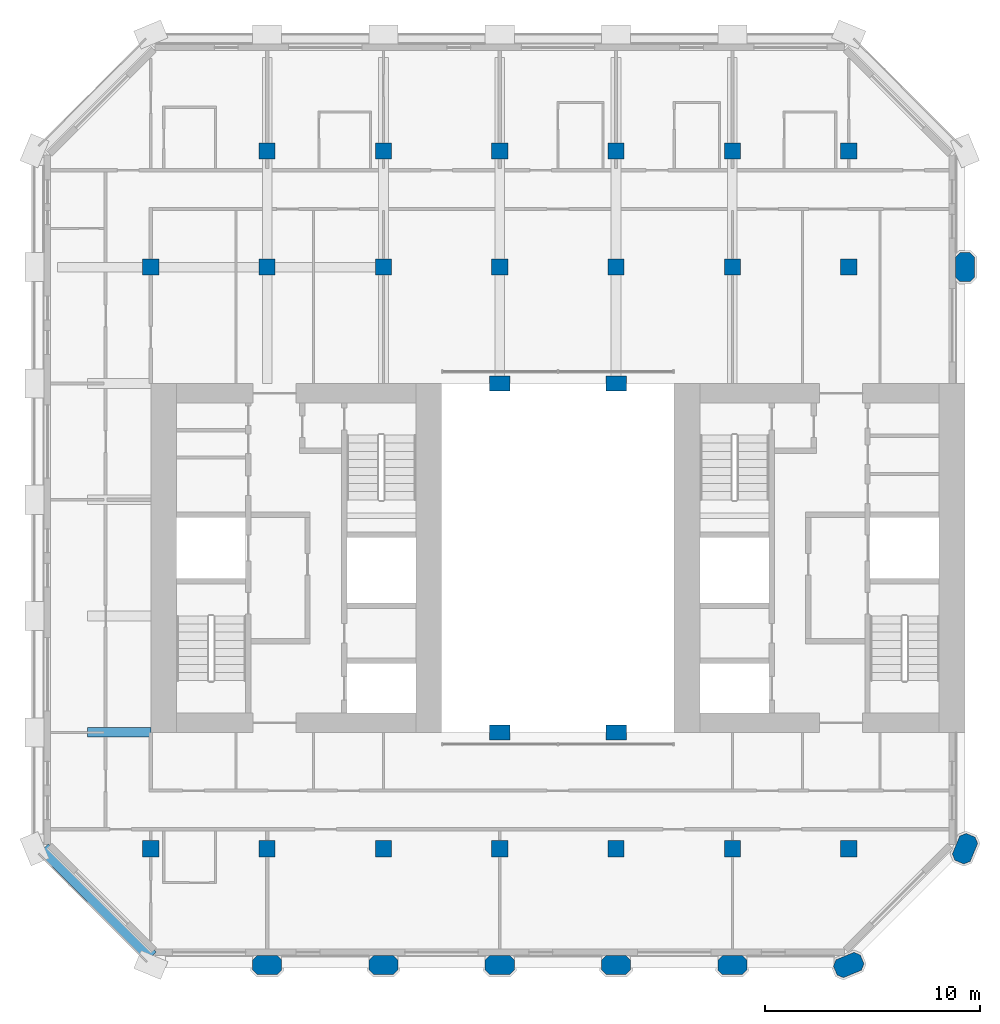
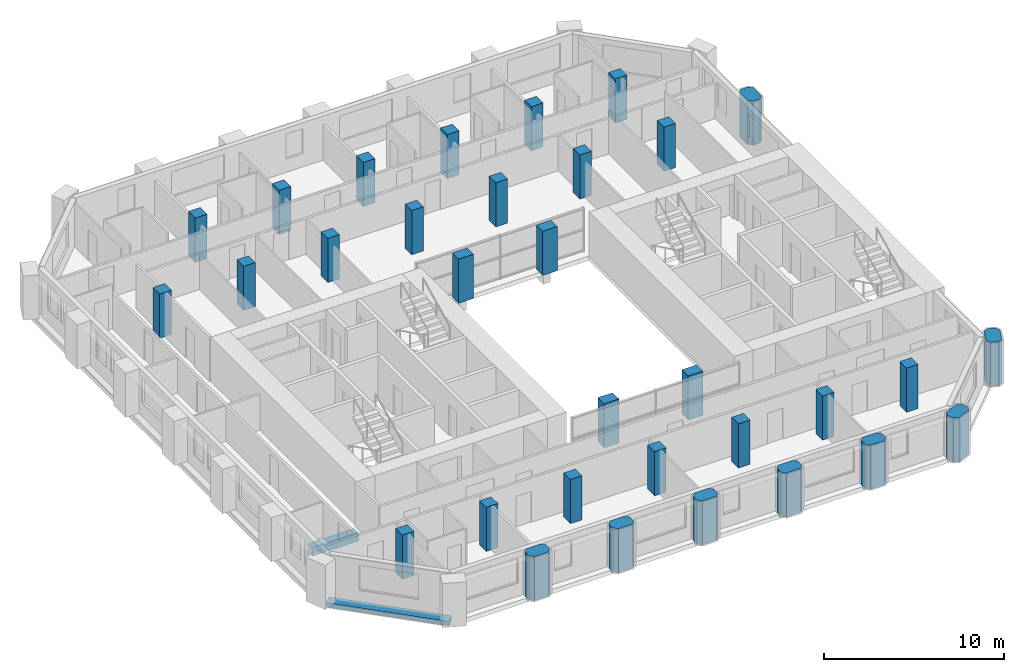
# One storey, part 1 of 14: 32 columns, 2 beams.
"""IFC4 building model written with IfcOpenShell, lengths in metres."""

from ifc_helpers import new_model, si_unit, direction, frame, origin, origin_2d, place, context, subcontext, project, spatial, polyline, rectangle, outline, extrude, material, material_profile, profile_set, type_object, element, save


model = new_model("IFC4")

# Units and contexts
model_context = context("Model", 3, precision=1e-05, world=origin(), true_north=direction((0.0, 1.0)))
body_context = subcontext(model_context, "Body", "Model", "MODEL_VIEW")
ifc_project = project(units=[si_unit("LENGTHUNIT", "METRE"), si_unit("AREAUNIT", "SQUARE_METRE"), si_unit("VOLUMEUNIT", "CUBIC_METRE"), si_unit("PLANEANGLEUNIT", "RADIAN"), si_unit("MASSUNIT", "GRAM", prefix="KILO")], contexts=[model_context])

# Site, building, storey
site_placement = place(None, origin())
site = spatial("IfcSite", under=ifc_project, at=site_placement, CompositionType="ELEMENT")
building_placement = place(site_placement, origin())
building = spatial("IfcBuilding", under=site, at=building_placement, Name="Tabaq Tower and Sports Hall", CompositionType="ELEMENT")
storey_placement = place(building_placement, frame((0.0, 0.0, 226.89990234375)))
storey = spatial("IfcBuildingStorey", under=building, at=storey_placement, Name="L57", CompositionType="ELEMENT", Elevation=226.89990234375)

# Columns
ifc_material_1 = material(Name="Concrete C50/60", Category="concrete")
ifc_material_profile_1 = material_profile(ifc_material_1, rectangle(XDim=0.949951171875, YDim=0.699951171875, at=origin_2d()), Name="ATRIUM COLUMN 950x700")
ifc_profile_set_1 = profile_set([ifc_material_profile_1], Name="Concrete C50/60")
column_type_1 = type_object("IfcColumnType", Name="RC COLUMN ATRIUM COLUMN 950x700 C50/60", PredefinedType="COLUMN", material=ifc_profile_set_1)
for number, where, z_axis, x_axis, name in (
    (1, (21.60009765625, 16.199951171875, 0.0), (0.0, 0.0, 1.0), (1.0, 0.0, 0.0), "Atrium Column 5/D L57"),
    (2, (27.0, 16.199951171875, 0.0), (0.0, 0.0, 1.0), (1.0, 0.0, 0.0), "Atrium Column 6/D L57"),
    (3, (21.60009765625, 32.39990234375, 0.0), (0.0, 0.0, 1.0), (1.0, 0.0, 0.0), "Atrium Column 5/G L57"),
    (4, (27.0, 32.39990234375, 0.0), (0.0, 0.0, 1.0), (1.0, 0.0, 0.0), "Atrium Column 6/G L57"),
):
    element("IfcColumn", number, at=place(storey_placement, frame(where, z_axis=z_axis, x_axis=x_axis)), inside=storey, type_object=column_type_1, Name=name, PredefinedType="COLUMN", context=body_context, shape_type="SweptSolid", body=[
        extrude(rectangle(XDim=0.949951171875, YDim=0.699951171875, at=origin_2d()), origin(), (0.0, 0.0, 1.0), 3.0),
    ])
ifc_material_2 = material(Name="Concrete C50/60", Category="concrete")
ifc_material_profile_2 = material_profile(ifc_material_2, rectangle(XDim=0.75, YDim=0.75, at=origin_2d()), Name="COLUMN 750x750")
ifc_profile_set_2 = profile_set([ifc_material_profile_2], Name="Concrete C50/60")
column_type_2 = type_object("IfcColumnType", Name="RC COLUMN COLUMN 750x750 C50/60", PredefinedType="COLUMN", material=ifc_profile_set_2)
for number, where, z_axis, x_axis, name in (
    (5, (5.39990234375, 10.800048828125, 0.0), (0.0, 0.0, 1.0), (1.0, 0.0, 0.0), "Column 2/C L57"),
    (6, (10.800048828125, 10.800048828125, 0.0), (0.0, 0.0, 1.0), (1.0, 0.0, 0.0), "Column 3/C L57"),
    (7, (16.199951171875, 10.800048828125, 0.0), (0.0, 0.0, 1.0), (1.0, 0.0, 0.0), "Column 4/C L57"),
    (8, (21.60009765625, 10.800048828125, 0.0), (0.0, 0.0, 1.0), (1.0, 0.0, 0.0), "Column 5/C L57"),
    (9, (27.0, 10.800048828125, 0.0), (0.0, 0.0, 1.0), (1.0, 0.0, 0.0), "Column 6/C L57"),
    (10, (32.39990234375, 10.800048828125, 0.0), (0.0, 0.0, 1.0), (1.0, 0.0, 0.0), "Column 7/C L57"),
    (11, (37.800048828125, 10.800048828125, 0.0), (0.0, 0.0, 1.0), (1.0, 0.0, 0.0), "Column 8/C L57"),
    (12, (5.39990234375, 37.800048828125, 0.0), (0.0, 0.0, 1.0), (1.0, 0.0, 0.0), "Column 2/H L57"),
    (13, (10.800048828125, 37.800048828125, 0.0), (0.0, 0.0, 1.0), (1.0, 0.0, 0.0), "Column 3/H L57"),
    (14, (16.199951171875, 37.800048828125, 0.0), (0.0, 0.0, 1.0), (1.0, 0.0, 0.0), "Column 4/H L57"),
    (15, (21.60009765625, 37.800048828125, 0.0), (0.0, 0.0, 1.0), (1.0, 0.0, 0.0), "Column 5/H L57"),
    (16, (27.0, 37.800048828125, 0.0), (0.0, 0.0, 1.0), (1.0, 0.0, 0.0), "Column 6/H L57"),
    (17, (32.39990234375, 37.800048828125, 0.0), (0.0, 0.0, 1.0), (1.0, 0.0, 0.0), "Column 7/H L57"),
    (18, (37.800048828125, 37.800048828125, 0.0), (0.0, 0.0, 1.0), (1.0, 0.0, 0.0), "Column 8/H L57"),
    (19, (10.800048828125, 43.199951171875, 0.0), (0.0, 0.0, 1.0), (1.0, 0.0, 0.0), "Column 3/I L57"),
    (20, (16.199951171875, 43.199951171875, 0.0), (0.0, 0.0, 1.0), (1.0, 0.0, 0.0), "Column 4/I L57"),
    (21, (21.60009765625, 43.199951171875, 0.0), (0.0, 0.0, 1.0), (1.0, 0.0, 0.0), "Column 5/I L57"),
    (22, (27.0, 43.199951171875, 0.0), (0.0, 0.0, 1.0), (1.0, 0.0, 0.0), "Column 6/I L57"),
    (23, (32.39990234375, 43.199951171875, 0.0), (0.0, 0.0, 1.0), (1.0, 0.0, 0.0), "Column 7/I L57"),
    (24, (37.800048828125, 43.199951171875, 0.0), (0.0, 0.0, 1.0), (1.0, 0.0, 0.0), "Column 8/I L57"),
):
    element("IfcColumn", number, at=place(storey_placement, frame(where, z_axis=z_axis, x_axis=x_axis)), inside=storey, type_object=column_type_2, Name=name, PredefinedType="COLUMN", context=body_context, shape_type="SweptSolid", body=[
        extrude(rectangle(XDim=0.75, YDim=0.75, at=origin_2d()), origin(), (0.0, 0.0, 1.0), 3.0),
    ])
ifc_material_3 = material(Name="Concrete C50/60", Category="concrete")
ifc_material_profile_3 = material_profile(ifc_material_3, outline(polyline([(-0.449951171875, -0.449951171875), (0.449951171875, -0.449951171875), (0.675048828125, -0.22509765625), (0.675048828125, 0.22509765625), (0.449951171875, 0.449951171875), (-0.449951171875, 0.449951171875), (-0.675048828125, 0.22509765625), (-0.675048828125, -0.22509765625), (-0.449951171875, -0.449951171875)])), Name="PIER 1350x900")
ifc_profile_set_3 = profile_set([ifc_material_profile_3], Name="Concrete C50/60")
column_type_3 = type_object("IfcColumnType", Name="RC COLUMN PIER 1350x900 C50/60", PredefinedType="COLUMN", material=ifc_profile_set_3)
for number, where, z_axis, x_axis, name in (
    (25, (10.800048828125, 5.39990234375, 0.0), (0.0, 0.0, 1.0), (1.0, 0.0, 0.0), "Pier 3/B L57"),
    (26, (16.199951171875, 5.39990234375, 0.0), (0.0, 0.0, 1.0), (1.0, 0.0, 0.0), "Pier 4/B L57"),
    (27, (21.60009765625, 5.39990234375, 0.0), (0.0, 0.0, 1.0), (1.0, 0.0, 0.0), "Pier 5/B L57"),
    (28, (27.0, 5.39990234375, 0.0), (0.0, 0.0, 1.0), (1.0, 0.0, 0.0), "Pier 6/B L57"),
    (29, (32.39990234375, 5.39990234375, 0.0), (0.0, 0.0, 1.0), (1.0, 0.0, 0.0), "Pier 7/B L57"),
    (30, (37.800048828125, 5.39990234375, 0.0), (0.0, 0.0, 1.0), (0.923879532511, 0.382683432365, 0.0), "Pier 8/B L57"),
    (31, (43.199951171875, 10.800048828125, 0.0), (0.0, 0.0, 1.0), (0.382683432365, 0.923879532511, 0.0), "Pier 9/C L57"),
    (32, (43.199951171875, 37.800048828125, 0.0), (0.0, 0.0, 1.0), (0.0, 1.0, 0.0), "Pier 9/H L57"),
):
    element("IfcColumn", number, at=place(storey_placement, frame(where, z_axis=z_axis, x_axis=x_axis)), inside=storey, type_object=column_type_3, Name=name, PredefinedType="COLUMN", context=body_context, shape_type="SweptSolid", body=[
        extrude(outline(polyline([(-0.449951171875, -0.449951171875), (0.449951171875, -0.449951171875), (0.675048828125, -0.22509765625), (0.675048828125, 0.22509765625), (0.449951171875, 0.449951171875), (-0.449951171875, 0.449951171875), (-0.675048828125, 0.22509765625), (-0.675048828125, -0.22509765625), (-0.449951171875, -0.449951171875)])), origin(), (0.0, 0.0, 1.0), 3.0),
    ])

# Beams
ifc_material_4 = material(Name="Concrete C40/50", Category="concrete")
ifc_material_profile_4 = material_profile(ifc_material_4, rectangle(XDim=0.449951171875, YDim=0.60009765625, at=origin_2d()), Name="CB 450x600")
ifc_profile_set_4 = profile_set([ifc_material_profile_4], Name="Concrete C40/50")
beam_type_1 = type_object("IfcBeamType", Name="PT CANTILEVER BEAM CB 450x600 C40/50", PredefinedType="BEAM", material=ifc_profile_set_4)
beam_1_placement = place(storey_placement, frame((2.449951171875, 16.199951171875, -0.599853515625), z_axis=(1.0, 0.0, 0.0), x_axis=(0.0, 1.0, 0.0)))
element("IfcBeam", 33, at=beam_1_placement, inside=storey, type_object=beam_type_1, Name="Cantilever Beam L57 W3 span 1", PredefinedType="BEAM", context=body_context, shape_type="SweptSolid", body=[
    extrude(rectangle(XDim=0.449951171875, YDim=0.60009765625, at=origin_2d()), origin(), (0.0, 0.0, 1.0), 2.949951171875),
])
ifc_material_5 = material(Name="Concrete C40/50", Category="concrete")
ifc_material_profile_5 = material_profile(ifc_material_5, rectangle(XDim=0.60009765625, YDim=0.300048828125, at=origin_2d()), Name="EB 600x300")
ifc_profile_set_5 = profile_set([ifc_material_profile_5], Name="Concrete C40/50")
beam_type_2 = type_object("IfcBeamType", Name="PT EDGE BEAM EB 600x300 C40/50", PredefinedType="SPANDREL", material=ifc_profile_set_5)
beam_2_placement = place(storey_placement, frame((0.42333984375, 10.801025390625, -0.14990234375), z_axis=(0.707089559252, -0.707124002701, 0.0), x_axis=(0.707124002701, 0.707089559252, 0.0)))
element("IfcBeam", 34, at=beam_2_placement, inside=storey, type_object=beam_type_2, Name="Edge Beam L57 5", PredefinedType="SPANDREL", context=body_context, shape_type="SweptSolid", body=[
    extrude(rectangle(XDim=0.60009765625, YDim=0.300048828125, at=origin_2d()), origin(), (0.0, 0.0, 1.0), 7.088134765625),
])

save(model, "model.ifc")
